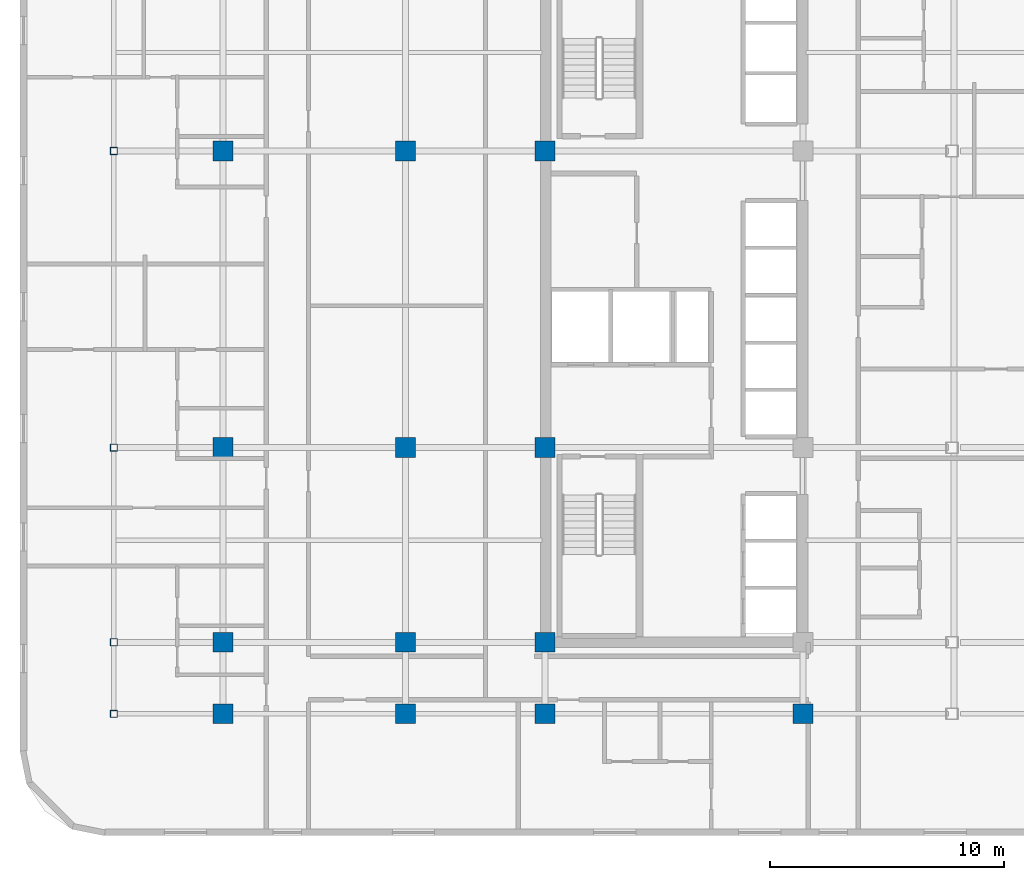
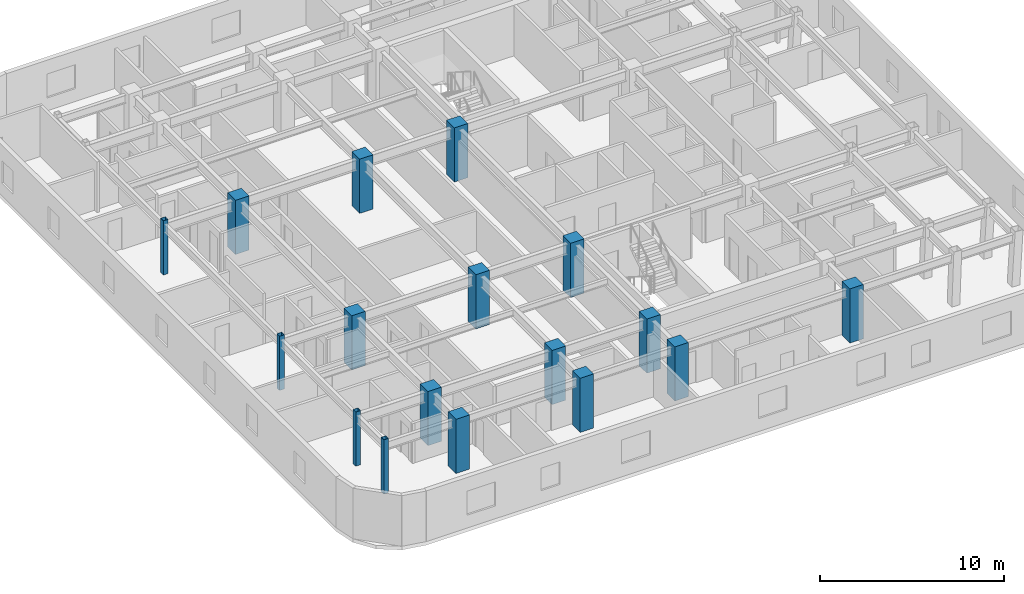
# One storey, part 1 of 12: 17 columns.
"""IFC4 building model written with IfcOpenShell, lengths in metres."""

from ifc_helpers import new_model, si_unit, direction, frame, origin, origin_2d, place, context, subcontext, project, spatial, rectangle, hollow_rectangle, extrude, material, material_profile, profile_set, type_object, element, save


model = new_model("IFC4")

# Units and contexts
model_context = context("Model", 3, precision=1e-05, world=origin(), true_north=direction((0.0, 1.0)))
body_context = subcontext(model_context, "Body", "Model", "MODEL_VIEW")
ifc_project = project(units=[si_unit("LENGTHUNIT", "METRE"), si_unit("AREAUNIT", "SQUARE_METRE"), si_unit("VOLUMEUNIT", "CUBIC_METRE"), si_unit("PLANEANGLEUNIT", "RADIAN"), si_unit("MASSUNIT", "GRAM", prefix="KILO")], contexts=[model_context])

# Site, building, storey
site_placement = place(None, origin())
site = spatial("IfcSite", under=ifc_project, at=site_placement, CompositionType="ELEMENT")
building_placement = place(site_placement, origin())
building = spatial("IfcBuilding", under=site, at=building_placement, Name="Ochreholt Gables", CompositionType="ELEMENT")
storey_placement = place(building_placement, frame((0.0, 0.0, 45.60009765625)))
storey = spatial("IfcBuildingStorey", under=building, at=storey_placement, Name="L11", CompositionType="ELEMENT", Elevation=45.60009765625)

# Columns
ifc_material_1 = material(Name="Steel CSA G40.21 350W", Category="steel")
ifc_material_profile_1 = material_profile(ifc_material_1, hollow_rectangle(XDim=0.304931640625, YDim=0.304931640625, WallThickness=0.0126953125, at=origin_2d()), Name="HSS305X305X13")
ifc_profile_set_1 = profile_set([ifc_material_profile_1], Name="Steel CSA G40.21 350W")
column_type_1 = type_object("IfcColumnType", Name="COL-HSS305-EXT", PredefinedType="COLUMN", material=ifc_profile_set_1)
for number, where, z_axis, x_axis, name in (
    (1, (5.800048828125, 6.199951171875, 0.0), (0.0, 0.0, 1.0), (1.0, 0.0, 0.0), "L11 Column WTY1"),
    (2, (5.800048828125, 9.25, 0.0), (0.0, 0.0, 1.0), (1.0, 0.0, 0.0), "L11 Column WTY2"),
    (3, (5.800048828125, 17.550048828125, 0.0), (0.0, 0.0, 1.0), (1.0, 0.0, 0.0), "L11 Column WTY3"),
    (4, (5.800048828125, 30.199951171875, 0.0), (0.0, 0.0, 1.0), (1.0, 0.0, 0.0), "L11 Column WTY4"),
):
    element("IfcColumn", number, at=place(storey_placement, frame(where, z_axis=z_axis, x_axis=x_axis)), inside=storey, type_object=column_type_1, Name=name, PredefinedType="COLUMN", context=body_context, shape_type="SweptSolid", body=[
        extrude(hollow_rectangle(XDim=0.304931640625, YDim=0.304931640625, WallThickness=0.0126953125, at=origin_2d()), origin(), (0.0, 0.0, 1.0), 3.599853515625),
    ])
ifc_material_2 = material(Name="Concrete 60 MPa", Category="concrete")
ifc_material_profile_2 = material_profile(ifc_material_2, rectangle(XDim=0.85009765625, YDim=0.85009765625, at=origin_2d()), Name="RC850X850")
ifc_profile_set_2 = profile_set([ifc_material_profile_2], Name="Concrete 60 MPa")
column_type_2 = type_object("IfcColumnType", Name="COL-RC850-EXT", PredefinedType="COLUMN", material=ifc_profile_set_2)
for number, where, z_axis, x_axis, name in (
    (5, (10.449951171875, 6.199951171875, 0.0), (0.0, 0.0, 1.0), (1.0, 0.0, 0.0), "L11 Column W2Y1"),
    (6, (18.25, 6.199951171875, 0.0), (0.0, 0.0, 1.0), (1.0, 0.0, 0.0), "L11 Column W3Y1"),
    (7, (24.199951171875, 6.199951171875, 0.0), (0.0, 0.0, 1.0), (1.0, 0.0, 0.0), "L11 Column C1Y1"),
    (8, (35.199951171875, 6.199951171875, 0.0), (0.0, 0.0, 1.0), (1.0, 0.0, 0.0), "L11 Column C2Y1"),
):
    element("IfcColumn", number, at=place(storey_placement, frame(where, z_axis=z_axis, x_axis=x_axis)), inside=storey, type_object=column_type_2, Name=name, PredefinedType="COLUMN", context=body_context, shape_type="SweptSolid", body=[
        extrude(rectangle(XDim=0.85009765625, YDim=0.85009765625, at=origin_2d()), origin(), (0.0, 0.0, 1.0), 3.599853515625),
    ])
ifc_material_profile_3 = material_profile(ifc_material_2, rectangle(XDim=0.85009765625, YDim=0.85009765625, at=origin_2d()), Name="RC850X850")
ifc_profile_set_3 = profile_set([ifc_material_profile_3], Name="Concrete 60 MPa")
column_type_3 = type_object("IfcColumnType", Name="COL-RC850-INT", PredefinedType="COLUMN", material=ifc_profile_set_3)
for number, where, z_axis, x_axis, name in (
    (9, (10.449951171875, 9.25, 0.0), (0.0, 0.0, 1.0), (1.0, 0.0, 0.0), "L11 Column W2Y2"),
    (10, (10.449951171875, 17.550048828125, 0.0), (0.0, 0.0, 1.0), (1.0, 0.0, 0.0), "L11 Column W2Y3"),
    (11, (10.449951171875, 30.199951171875, 0.0), (0.0, 0.0, 1.0), (1.0, 0.0, 0.0), "L11 Column W2Y4"),
    (12, (18.25, 9.25, 0.0), (0.0, 0.0, 1.0), (1.0, 0.0, 0.0), "L11 Column W3Y2"),
    (13, (18.25, 17.550048828125, 0.0), (0.0, 0.0, 1.0), (1.0, 0.0, 0.0), "L11 Column W3Y3"),
    (14, (18.25, 30.199951171875, 0.0), (0.0, 0.0, 1.0), (1.0, 0.0, 0.0), "L11 Column W3Y4"),
    (15, (24.199951171875, 9.25, 0.0), (0.0, 0.0, 1.0), (1.0, 0.0, 0.0), "L11 Column C1Y2"),
    (16, (24.199951171875, 17.550048828125, 0.0), (0.0, 0.0, 1.0), (1.0, 0.0, 0.0), "L11 Column C1Y3"),
    (17, (24.199951171875, 30.199951171875, 0.0), (0.0, 0.0, 1.0), (1.0, 0.0, 0.0), "L11 Column C1Y4"),
):
    element("IfcColumn", number, at=place(storey_placement, frame(where, z_axis=z_axis, x_axis=x_axis)), inside=storey, type_object=column_type_3, Name=name, PredefinedType="COLUMN", context=body_context, shape_type="SweptSolid", body=[
        extrude(rectangle(XDim=0.85009765625, YDim=0.85009765625, at=origin_2d()), origin(), (0.0, 0.0, 1.0), 3.599853515625),
    ])

save(model, "model.ifc")
